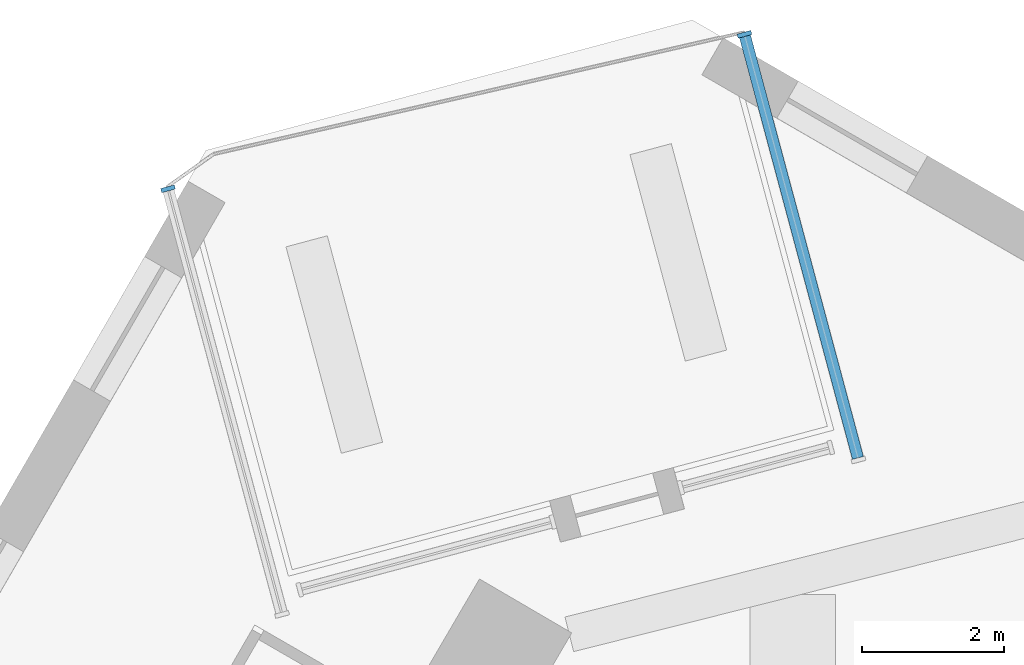
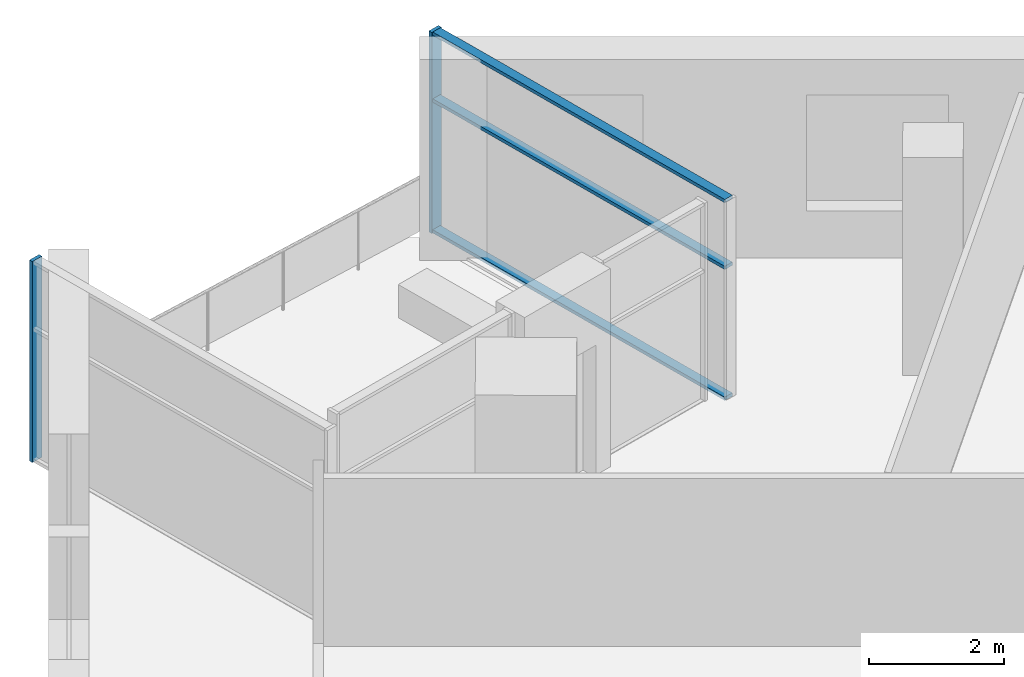
# One storey, part 4 of 13: 5 members, 2 elements without a shape of their own.
"""IFC4 building model written with IfcOpenShell, lengths in metres."""

from ifc_helpers import new_model, si_unit, direction, frame, origin, origin_2d, place, context, subcontext, project, spatial, rectangle, extrude, material, material_profile, profile_set, type_object, element, aggregate, save


model = new_model("IFC4")

# Units and contexts
model_context = context("Model", 3, precision=1e-05, world=origin(), true_north=direction((0.0, 1.0)))
body_context = subcontext(model_context, "Body", "Model", "MODEL_VIEW")
ifc_project = project(units=[si_unit("LENGTHUNIT", "METRE"), si_unit("AREAUNIT", "SQUARE_METRE"), si_unit("VOLUMEUNIT", "CUBIC_METRE"), si_unit("PLANEANGLEUNIT", "RADIAN"), si_unit("MASSUNIT", "GRAM", prefix="KILO")], contexts=[model_context])

# Site, building, storey
site_placement = place(None, origin())
site = spatial("IfcSite", under=ifc_project, at=site_placement, CompositionType="ELEMENT")
building_placement = place(site_placement, origin())
building = spatial("IfcBuilding", under=site, at=building_placement, Name="Dilmun Exchange Tower", CompositionType="ELEMENT")
storey_placement = place(building_placement, frame((0.0, 0.0, 270.89990234375)))
storey = spatial("IfcBuildingStorey", under=building, at=storey_placement, Name="L64", CompositionType="ELEMENT", Elevation=270.89990234375)

# Curtain wall, member
ifc_material_1 = material(Name="Anodised aluminium and clear glass", Category="aluminium")
curtain_wall_type = type_object("IfcCurtainWallType", Name="Garden corner glazing", PredefinedType="NOTDEFINED", material=ifc_material_1)
curtain_wall_1_placement = place(storey_placement, origin())
curtain_wall_1 = element("IfcCurtainWall", 1, at=curtain_wall_1_placement, inside=storey, type_object=curtain_wall_type, Name="Garden corner glazing run GC1.1", PredefinedType="NOTDEFINED")
ifc_material_2 = material(Name="Anodised aluminium", Category="aluminium")
ifc_material_profile_1 = material_profile(ifc_material_2, rectangle(XDim=0.199951171875, YDim=0.06005859375, at=origin_2d()), Name="AL 60x200")
ifc_profile_set_1 = profile_set([ifc_material_profile_1], Name="Anodised aluminium")
member_type_1 = type_object("IfcMemberType", Name="Garden corner glazing mullion 60 x 200", PredefinedType="MULLION", material=ifc_profile_set_1)
member_1_placement = place(storey_placement, frame((-0.464111328125, 35.12939453125, 0.0), z_axis=(0.0, 0.0, 1.0), x_axis=(0.965925756145, 0.258819306883, 0.0)))
member_1 = element("IfcMember", 2, at=member_1_placement, type_object=member_type_1, Name="GC1.1 mullion 1", PredefinedType="MULLION", context=body_context, shape_type="SweptSolid", body=[
    extrude(rectangle(XDim=0.199951171875, YDim=0.06005859375, at=origin_2d()), origin(), (0.0, 0.0, 1.0), 3.64013671875),
])

curtain_wall_2_placement = place(storey_placement, origin())
curtain_wall_2 = element("IfcCurtainWall", 3, at=curtain_wall_2_placement, inside=storey, type_object=curtain_wall_type, Name="Garden corner glazing run GC3.1", PredefinedType="NOTDEFINED")
member_2_placement = place(storey_placement, frame((-8.556884765625, 32.9609375, 0.0), z_axis=(0.0, 0.0, 1.0), x_axis=(-0.965925756145, -0.258819306883, 0.0)))
member_2 = element("IfcMember", 4, at=member_2_placement, type_object=member_type_1, Name="GC3.1 mullion 2", PredefinedType="MULLION", context=body_context, shape_type="SweptSolid", body=[
    extrude(rectangle(XDim=0.199951171875, YDim=0.06005859375, at=origin_2d()), origin(), (0.0, 0.0, 1.0), 3.64013671875),
])
aggregate(curtain_wall_2, [member_2])

# Member
ifc_material_profile_2 = material_profile(ifc_material_2, rectangle(XDim=0.159912109375, YDim=0.06005859375, at=origin_2d()), Name="AL 60x160")
ifc_profile_set_2 = profile_set([ifc_material_profile_2], Name="Anodised aluminium")
member_type_2 = type_object("IfcMemberType", Name="Garden corner glazing transom 60 x 160", PredefinedType="USERDEFINED", material=ifc_profile_set_2)
member_3_placement = place(storey_placement, frame((-0.456298828125, 35.100341796875, 0.030029296875), z_axis=(0.258798500814, -0.96593133088, 0.0), x_axis=(0.96593133088, 0.258798500814, 0.0)))
member_3 = element("IfcMember", 5, at=member_3_placement, type_object=member_type_2, Name="GC1.1 transom 1.1", ObjectType="TRANSOM", PredefinedType="USERDEFINED", context=body_context, shape_type="SweptSolid", body=[
    extrude(rectangle(XDim=0.159912109375, YDim=0.06005859375, at=origin_2d()), origin(), (0.0, 0.0, 1.0), 6.126220703125),
])

member_4_placement = place(storey_placement, frame((-0.456298828125, 35.100341796875, 2.400146484375), z_axis=(0.258798500814, -0.96593133088, 0.0), x_axis=(0.96593133088, 0.258798500814, 0.0)))
member_4 = element("IfcMember", 6, at=member_4_placement, type_object=member_type_2, Name="GC1.1 transom 1.2", ObjectType="TRANSOM", PredefinedType="USERDEFINED", context=body_context, shape_type="SweptSolid", body=[
    extrude(rectangle(XDim=0.159912109375, YDim=0.06005859375, at=origin_2d()), origin(), (0.0, 0.0, 1.0), 6.126220703125),
])

member_5_placement = place(storey_placement, frame((-0.456298828125, 35.100341796875, 3.610107421875), z_axis=(0.258798500814, -0.96593133088, 0.0), x_axis=(0.96593133088, 0.258798500814, 0.0)))
member_5 = element("IfcMember", 7, at=member_5_placement, type_object=member_type_2, Name="GC1.1 transom 1.3", ObjectType="TRANSOM", PredefinedType="USERDEFINED", context=body_context, shape_type="SweptSolid", body=[
    extrude(rectangle(XDim=0.159912109375, YDim=0.06005859375, at=origin_2d()), origin(), (0.0, 0.0, 1.0), 6.126220703125),
])

aggregate(curtain_wall_1, [member_1, member_3, member_4, member_5])

save(model, "model.ifc")
